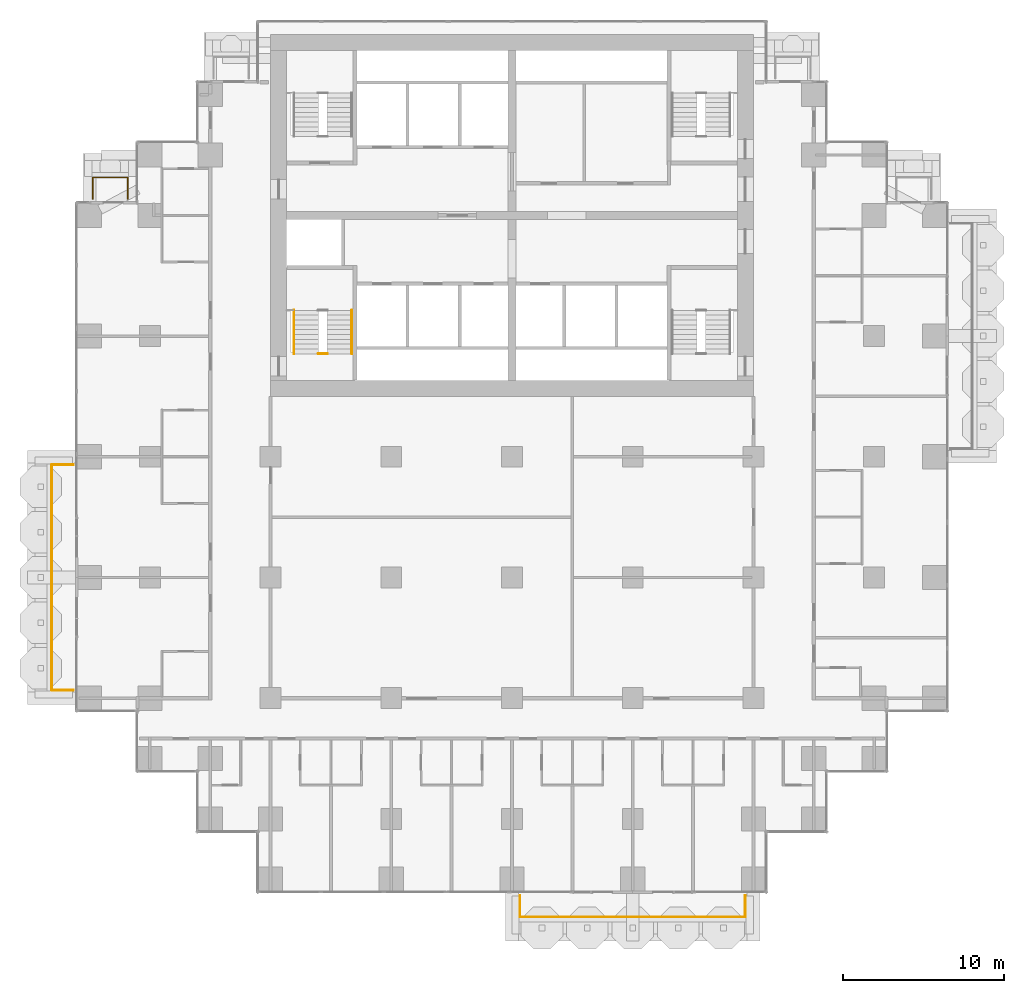
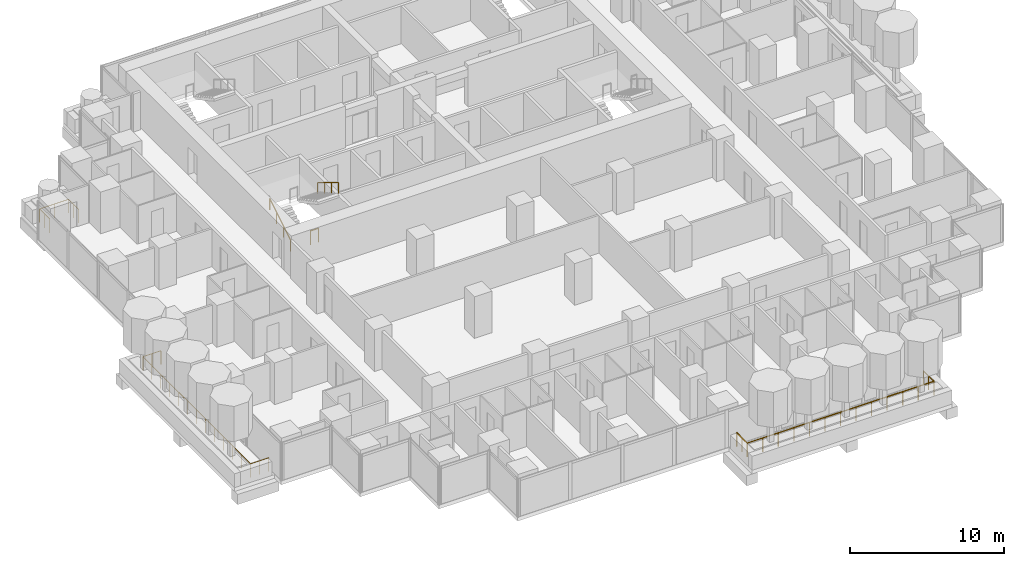
# One storey, part 17 of 19: 6 railings.
"""IFC4 building model written with IfcOpenShell, lengths in metres."""

from ifc_helpers import new_model, si_unit, direction, frame, origin, origin_2d, place, context, subcontext, project, spatial, circle, extrude, material, type_object, element, save


model = new_model("IFC4")

# Units and contexts
model_context = context("Model", 3, precision=1e-05, world=origin(), true_north=direction((0.0, 1.0)))
body_context = subcontext(model_context, "Body", "Model", "MODEL_VIEW")
ifc_project = project(units=[si_unit("LENGTHUNIT", "METRE"), si_unit("AREAUNIT", "SQUARE_METRE"), si_unit("VOLUMEUNIT", "CUBIC_METRE"), si_unit("PLANEANGLEUNIT", "RADIAN"), si_unit("MASSUNIT", "GRAM", prefix="KILO")], contexts=[model_context])

# Site, building, storey
site_placement = place(None, origin())
site = spatial("IfcSite", under=ifc_project, at=site_placement, CompositionType="ELEMENT")
building_placement = place(site_placement, origin())
building = spatial("IfcBuilding", under=site, at=building_placement, Name="Pilkhan Gate Tower", CompositionType="ELEMENT")
storey_placement = place(building_placement, frame((0.0, 0.0, 72.5)))
storey = spatial("IfcBuildingStorey", under=building, at=storey_placement, Name="L16", CompositionType="ELEMENT", Elevation=72.5)

# Railings
ifc_material_1 = material(Name="Pale anodised aluminium posts, laminated glass infill", Category="aluminium")
railing_type_1 = type_object("IfcRailingType", Name="Balcony guard G1", PredefinedType="BALUSTRADE", material=ifc_material_1)
railing_1_placement = place(storey_placement, frame((75.5, 40.25, 0.0)))
element("IfcRailing", 1, at=railing_1_placement, inside=storey, type_object=railing_type_1, Name="Balcony guard L16 S", PredefinedType="BALUSTRADE", context=body_context, shape_type="SweptSolid", body=[
    extrude(circle(Radius=0.02392578125, at=origin_2d()), frame((0.0, 0.0, 1.076171875), z_axis=(0.0, -1.0, 0.0), x_axis=(1.0, 0.0, 0.0)), (0.0, 0.0, 1.0), 1.35009765625),
    extrude(circle(Radius=0.02392578125, at=origin_2d()), frame((0.0, -1.35009765625, 1.076171875), z_axis=(1.0, 0.0, 0.0), x_axis=(0.0, 1.0, 0.0)), (0.0, 0.0, 1.0), 14.0),
    extrude(circle(Radius=0.02392578125, at=origin_2d()), frame((14.0, -1.35009765625, 1.076171875), z_axis=(0.0, 1.0, 0.0), x_axis=(-1.0, 0.0, 0.0)), (0.0, 0.0, 1.0), 1.35009765625),
    extrude(circle(Radius=0.02099609375, at=origin_2d()), origin(), (0.0, 0.0, 1.0), 1.052001953125),
    extrude(circle(Radius=0.02099609375, at=origin_2d()), frame((0.0, -0.675048828125, 0.0)), (0.0, 0.0, 1.0), 1.052001953125),
    extrude(circle(Radius=0.02099609375, at=origin_2d()), frame((0.0, -1.35009765625, 0.0)), (0.0, 0.0, 1.0), 1.052001953125),
    extrude(circle(Radius=0.02099609375, at=origin_2d()), frame((1.166748046875, -1.35009765625, 0.0)), (0.0, 0.0, 1.0), 1.052001953125),
    extrude(circle(Radius=0.02099609375, at=origin_2d()), frame((2.333251953125, -1.35009765625, 0.0)), (0.0, 0.0, 1.0), 1.052001953125),
    extrude(circle(Radius=0.02099609375, at=origin_2d()), frame((3.5, -1.35009765625, 0.0)), (0.0, 0.0, 1.0), 1.052001953125),
    extrude(circle(Radius=0.02099609375, at=origin_2d()), frame((4.666748046875, -1.35009765625, 0.0)), (0.0, 0.0, 1.0), 1.052001953125),
    extrude(circle(Radius=0.02099609375, at=origin_2d()), frame((5.833251953125, -1.35009765625, 0.0)), (0.0, 0.0, 1.0), 1.052001953125),
    extrude(circle(Radius=0.02099609375, at=origin_2d()), frame((7.0, -1.35009765625, 0.0)), (0.0, 0.0, 1.0), 1.052001953125),
    extrude(circle(Radius=0.02099609375, at=origin_2d()), frame((8.166748046875, -1.35009765625, 0.0)), (0.0, 0.0, 1.0), 1.052001953125),
    extrude(circle(Radius=0.02099609375, at=origin_2d()), frame((9.333251953125, -1.35009765625, 0.0)), (0.0, 0.0, 1.0), 1.052001953125),
    extrude(circle(Radius=0.02099609375, at=origin_2d()), frame((10.5, -1.35009765625, 0.0)), (0.0, 0.0, 1.0), 1.052001953125),
    extrude(circle(Radius=0.02099609375, at=origin_2d()), frame((11.666748046875, -1.35009765625, 0.0)), (0.0, 0.0, 1.0), 1.052001953125),
    extrude(circle(Radius=0.02099609375, at=origin_2d()), frame((12.833251953125, -1.35009765625, 0.0)), (0.0, 0.0, 1.0), 1.052001953125),
    extrude(circle(Radius=0.02099609375, at=origin_2d()), frame((14.0, -1.35009765625, 0.0)), (0.0, 0.0, 1.0), 1.052001953125),
    extrude(circle(Radius=0.02099609375, at=origin_2d()), frame((14.0, -0.675048828125, 0.0)), (0.0, 0.0, 1.0), 1.052001953125),
    extrude(circle(Radius=0.02099609375, at=origin_2d()), frame((14.0, 0.0, 0.0)), (0.0, 0.0, 1.0), 1.052001953125),
])
railing_2_placement = place(storey_placement, frame((48.949951171875, 83.52001953125, 0.0)))
element("IfcRailing", 2, at=railing_2_placement, inside=storey, type_object=railing_type_1, Name="Balcony guard L16 N", PredefinedType="BALUSTRADE", context=body_context, shape_type="SweptSolid", body=[
    extrude(circle(Radius=0.02392578125, at=origin_2d()), frame((0.0, 0.0, 1.076171875), z_axis=(0.0, 1.0, 0.0), x_axis=(-1.0, 0.0, 0.0)), (0.0, 0.0, 1.0), 1.330078125),
    extrude(circle(Radius=0.02392578125, at=origin_2d()), frame((0.0, 1.330078125, 1.076171875), z_axis=(1.0, 0.0, 0.0), x_axis=(0.0, 1.0, 0.0)), (0.0, 0.0, 1.0), 2.179931640625),
    extrude(circle(Radius=0.02392578125, at=origin_2d()), frame((2.179931640625, 1.330078125, 1.076171875), z_axis=(0.0, -1.0, 0.0), x_axis=(1.0, 0.0, 0.0)), (0.0, 0.0, 1.0), 1.330078125),
    extrude(circle(Radius=0.02099609375, at=origin_2d()), origin(), (0.0, 0.0, 1.0), 1.052001953125),
    extrude(circle(Radius=0.02099609375, at=origin_2d()), frame((0.0, 0.6650390625, 0.0)), (0.0, 0.0, 1.0), 1.052001953125),
    extrude(circle(Radius=0.02099609375, at=origin_2d()), frame((0.0, 1.330078125, 0.0)), (0.0, 0.0, 1.0), 1.052001953125),
    extrude(circle(Radius=0.02099609375, at=origin_2d()), frame((1.08984375, 1.330078125, 0.0)), (0.0, 0.0, 1.0), 1.052001953125),
    extrude(circle(Radius=0.02099609375, at=origin_2d()), frame((2.179931640625, 1.330078125, 0.0)), (0.0, 0.0, 1.0), 1.052001953125),
    extrude(circle(Radius=0.02099609375, at=origin_2d()), frame((2.179931640625, 0.6650390625, 0.0)), (0.0, 0.0, 1.0), 1.052001953125),
    extrude(circle(Radius=0.02099609375, at=origin_2d()), frame((2.179931640625, 0.0, 0.0)), (0.0, 0.0, 1.0), 1.052001953125),
])
railing_3_placement = place(storey_placement, frame((47.75, 53.0, 0.0)))
element("IfcRailing", 3, at=railing_3_placement, inside=storey, type_object=railing_type_1, Name="Balcony guard L16 W", PredefinedType="BALUSTRADE", context=body_context, shape_type="SweptSolid", body=[
    extrude(circle(Radius=0.02392578125, at=origin_2d()), frame((0.0, 0.0, 1.076171875), z_axis=(-1.0, 0.0, 0.0), x_axis=(0.0, -1.0, 0.0)), (0.0, 0.0, 1.0), 1.35009765625),
    extrude(circle(Radius=0.02392578125, at=origin_2d()), frame((-1.35009765625, 0.0, 1.076171875), z_axis=(0.0, 1.0, 0.0), x_axis=(-1.0, 0.0, 0.0)), (0.0, 0.0, 1.0), 14.0),
    extrude(circle(Radius=0.02392578125, at=origin_2d()), frame((-1.35009765625, 14.0, 1.076171875), z_axis=(1.0, 0.0, 0.0), x_axis=(0.0, 1.0, 0.0)), (0.0, 0.0, 1.0), 1.35009765625),
    extrude(circle(Radius=0.02099609375, at=origin_2d()), origin(), (0.0, 0.0, 1.0), 1.052001953125),
    extrude(circle(Radius=0.02099609375, at=origin_2d()), frame((-0.675048828125, 0.0, 0.0)), (0.0, 0.0, 1.0), 1.052001953125),
    extrude(circle(Radius=0.02099609375, at=origin_2d()), frame((-1.35009765625, 0.0, 0.0)), (0.0, 0.0, 1.0), 1.052001953125),
    extrude(circle(Radius=0.02099609375, at=origin_2d()), frame((-1.35009765625, 1.166748046875, 0.0)), (0.0, 0.0, 1.0), 1.052001953125),
    extrude(circle(Radius=0.02099609375, at=origin_2d()), frame((-1.35009765625, 2.333251953125, 0.0)), (0.0, 0.0, 1.0), 1.052001953125),
    extrude(circle(Radius=0.02099609375, at=origin_2d()), frame((-1.35009765625, 3.5, 0.0)), (0.0, 0.0, 1.0), 1.052001953125),
    extrude(circle(Radius=0.02099609375, at=origin_2d()), frame((-1.35009765625, 4.666748046875, 0.0)), (0.0, 0.0, 1.0), 1.052001953125),
    extrude(circle(Radius=0.02099609375, at=origin_2d()), frame((-1.35009765625, 5.833251953125, 0.0)), (0.0, 0.0, 1.0), 1.052001953125),
    extrude(circle(Radius=0.02099609375, at=origin_2d()), frame((-1.35009765625, 7.0, 0.0)), (0.0, 0.0, 1.0), 1.052001953125),
    extrude(circle(Radius=0.02099609375, at=origin_2d()), frame((-1.35009765625, 8.166748046875, 0.0)), (0.0, 0.0, 1.0), 1.052001953125),
    extrude(circle(Radius=0.02099609375, at=origin_2d()), frame((-1.35009765625, 9.333251953125, 0.0)), (0.0, 0.0, 1.0), 1.052001953125),
    extrude(circle(Radius=0.02099609375, at=origin_2d()), frame((-1.35009765625, 10.5, 0.0)), (0.0, 0.0, 1.0), 1.052001953125),
    extrude(circle(Radius=0.02099609375, at=origin_2d()), frame((-1.35009765625, 11.666748046875, 0.0)), (0.0, 0.0, 1.0), 1.052001953125),
    extrude(circle(Radius=0.02099609375, at=origin_2d()), frame((-1.35009765625, 12.833251953125, 0.0)), (0.0, 0.0, 1.0), 1.052001953125),
    extrude(circle(Radius=0.02099609375, at=origin_2d()), frame((-1.35009765625, 14.0, 0.0)), (0.0, 0.0, 1.0), 1.052001953125),
    extrude(circle(Radius=0.02099609375, at=origin_2d()), frame((-0.675048828125, 14.0, 0.0)), (0.0, 0.0, 1.0), 1.052001953125),
    extrude(circle(Radius=0.02099609375, at=origin_2d()), frame((0.0, 14.0, 0.0)), (0.0, 0.0, 1.0), 1.052001953125),
])
ifc_material_2 = material(Name="Black powder-coated steel tube", Category="steel")
railing_type_2 = type_object("IfcRailingType", Name="Stair handrail HR1", PredefinedType="HANDRAIL", material=ifc_material_2)
railing_4_placement = place(storey_placement, frame((61.449951171875, 73.89990234375, 0.0)))
element("IfcRailing", 4, at=railing_4_placement, inside=storey, type_object=railing_type_2, Name="Stair ST2 handrail L16", PredefinedType="HANDRAIL", context=body_context, shape_type="SweptSolid", body=[
    extrude(circle(Radius=0.02392578125, at=origin_2d()), frame((0.0, 0.0, 0.8759765625), z_axis=(0.0, 0.853312346642, 0.521400075823), x_axis=(-1.0, 0.0, 0.0)), (0.0, 0.0, 1.0), 3.164306640625),
    extrude(circle(Radius=0.02099609375, at=origin_2d()), origin(), (0.0, 0.0, 1.0), 0.851806640625),
    extrude(circle(Radius=0.02099609375, at=origin_2d()), frame((0.0, 0.900146484375, 0.550048828125)), (0.0, 0.0, 1.0), 0.851806640625),
    extrude(circle(Radius=0.02099609375, at=origin_2d()), frame((0.0, 1.800048828125, 1.099853515625)), (0.0, 0.0, 1.0), 0.851806640625),
    extrude(circle(Radius=0.02099609375, at=origin_2d()), frame((0.0, 2.7001953125, 1.64990234375)), (0.0, 0.0, 1.0), 0.851806640625),
])
railing_5_placement = place(storey_placement, frame((65.050048828125, 76.60009765625, 1.64990234375)))
element("IfcRailing", 5, at=railing_5_placement, inside=storey, type_object=railing_type_2, Name="Stair ST2 handrail L16", PredefinedType="HANDRAIL", context=body_context, shape_type="SweptSolid", body=[
    extrude(circle(Radius=0.02392578125, at=origin_2d()), frame((0.0, 0.0, 0.8759765625), z_axis=(0.0, -0.853278019476, 0.521456250781), x_axis=(1.0, 0.0, 0.0)), (0.0, 0.0, 1.0), 3.16455078125),
    extrude(circle(Radius=0.02099609375, at=origin_2d()), origin(), (0.0, 0.0, 1.0), 0.851806640625),
    extrude(circle(Radius=0.02099609375, at=origin_2d()), frame((0.0, -0.900146484375, 0.550048828125)), (0.0, 0.0, 1.0), 0.851806640625),
    extrude(circle(Radius=0.02099609375, at=origin_2d()), frame((0.0, -1.800048828125, 1.10009765625)), (0.0, 0.0, 1.0), 0.851806640625),
    extrude(circle(Radius=0.02099609375, at=origin_2d()), frame((0.0, -2.7001953125, 1.650146484375)), (0.0, 0.0, 1.0), 0.851806640625),
])
ifc_material_3 = material(Name="Black powder-coated steel balusters", Category="steel")
railing_type_3 = type_object("IfcRailingType", Name="Stair well guard G3", PredefinedType="GUARDRAIL", material=ifc_material_3)
railing_6_placement = place(storey_placement, frame((62.9599609375, 73.89990234375, 0.0)))
element("IfcRailing", 6, at=railing_6_placement, inside=storey, type_object=railing_type_3, Name="Stair ST2 well guard L16", PredefinedType="GUARDRAIL", context=body_context, shape_type="SweptSolid", body=[
    extrude(circle(Radius=0.02392578125, at=origin_2d()), frame((0.0, 0.0, 1.076171875), z_axis=(1.0, 0.0, 0.0), x_axis=(0.0, 1.0, 0.0)), (0.0, 0.0, 1.0), 0.580078125),
    extrude(circle(Radius=0.02099609375, at=origin_2d()), origin(), (0.0, 0.0, 1.0), 1.052001953125),
    extrude(circle(Radius=0.02099609375, at=origin_2d()), frame((0.580078125, 0.0, 0.0)), (0.0, 0.0, 1.0), 1.052001953125),
])

save(model, "model.ifc")
